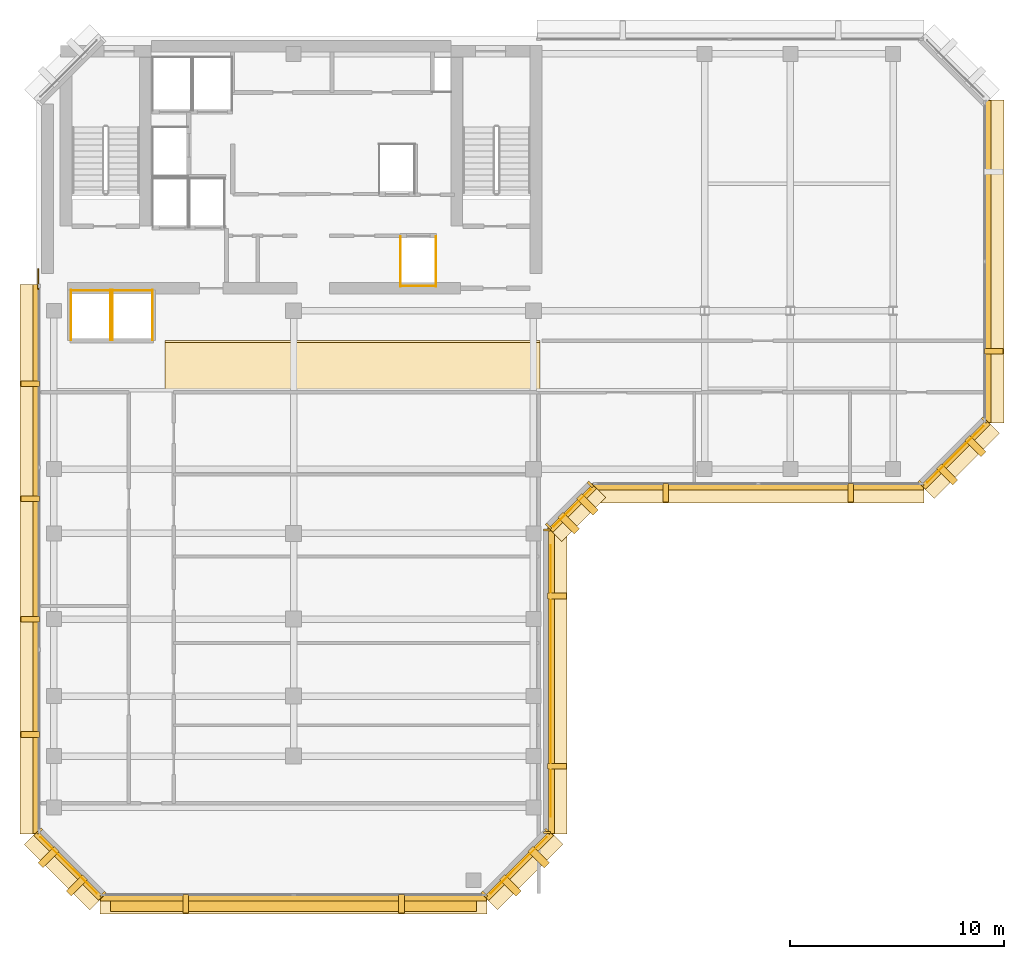
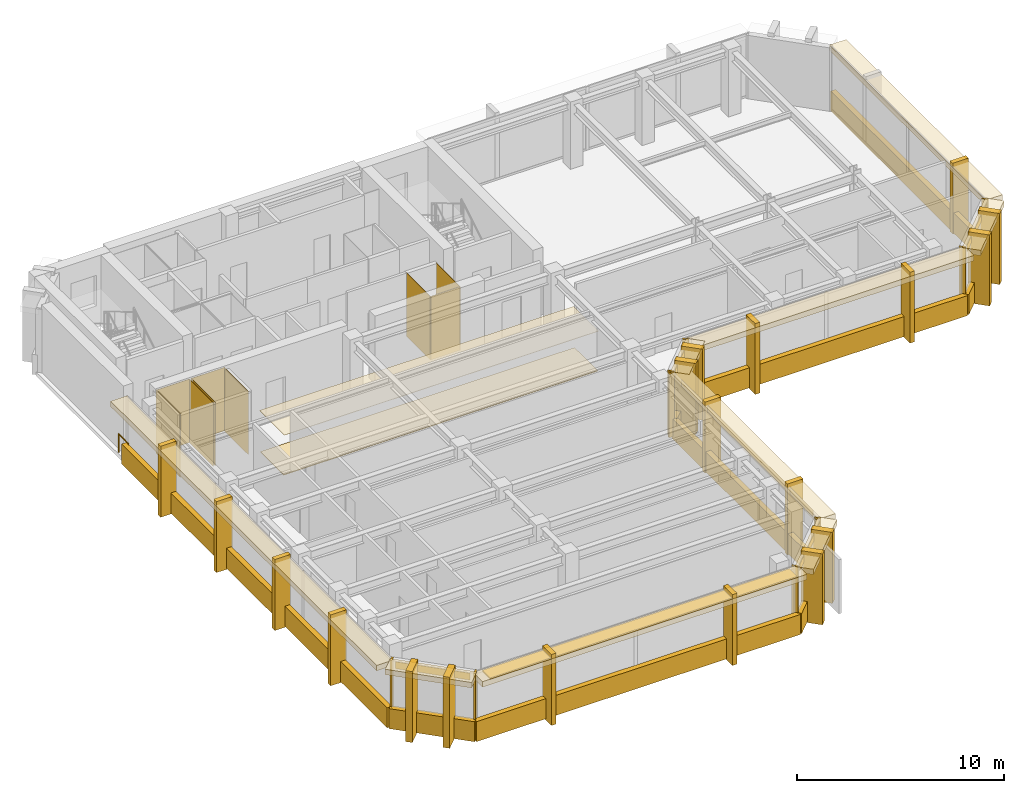
# One storey, part 9 of 11: 63 coverings, 1 railing, 1 shading device.
"""IFC4 building model written with IfcOpenShell, lengths in metres."""

from ifc_helpers import new_model, si_unit, direction, frame, origin, origin_2d, place, context, subcontext, project, spatial, polyline, rectangle, circle, outline, extrude, material, layer, layer_set, type_object, element, save


model = new_model("IFC4")

# Units and contexts
model_context = context("Model", 3, precision=1e-05, world=origin(), true_north=direction((0.0, 1.0)))
body_context = subcontext(model_context, "Body", "Model", "MODEL_VIEW")
ifc_project = project(units=[si_unit("LENGTHUNIT", "METRE"), si_unit("AREAUNIT", "SQUARE_METRE"), si_unit("VOLUMEUNIT", "CUBIC_METRE"), si_unit("PLANEANGLEUNIT", "RADIAN"), si_unit("MASSUNIT", "GRAM", prefix="KILO")], contexts=[model_context])

# Site, building, storey
site_placement = place(None, origin())
site = spatial("IfcSite", under=ifc_project, at=site_placement, CompositionType="ELEMENT")
building_placement = place(site_placement, origin())
building = spatial("IfcBuilding", under=site, at=building_placement, Name="Kefirva Bronze Tower", CompositionType="ELEMENT")
storey_placement = place(building_placement, frame((0.0, 0.0, 331.64990234375)))
storey = spatial("IfcBuildingStorey", under=building, at=storey_placement, Name="L81", CompositionType="ELEMENT", Elevation=331.64990234375)

# Coverings
ifc_material_1 = material(Name="Acoustic mineral tile")
ifc_layer_1 = layer(ifc_material_1, 0.02490234375, Name="Acoustic mineral tile")
ifc_layer_set_1 = layer_set([ifc_layer_1], Name="Acoustic mineral tile")
covering_type_1 = type_object("IfcCoveringType", Name="Acoustic Mineral Suspended Ceiling 25mm", PredefinedType="CEILING", material=ifc_layer_set_1)
covering_1_placement = place(storey_placement, frame((0.0, 0.0, 2.400146484375)))
element("IfcCovering", 1, at=covering_1_placement, inside=storey, type_object=covering_type_1, Name="L81 Corridor Acoustic Ceiling", PredefinedType="CEILING", context=body_context, shape_type="SweptSolid", body=[
    extrude(outline(polyline([(6.0, 29.39990234375), (23.5, 29.39990234375), (23.5, 31.800048828125), (6.0, 31.800048828125), (6.0, 29.39990234375)])), origin(), (0.0, 0.0, 1.0), 0.02490234375),
])
ifc_material_2 = material(Name="Bronze anodised aluminium", Category="aluminium")
ifc_layer_2 = layer(ifc_material_2, 0.02001953125, Name="Bronze anodised aluminium")
ifc_layer_set_2 = layer_set([ifc_layer_2], Name="Bronze anodised aluminium")
covering_type_2 = type_object("IfcCoveringType", Name="Anodised Bronze Spandrel Cladding 20mm", PredefinedType="CLADDING", material=ifc_layer_set_2)
covering_2_placement = place(storey_placement, frame((12.0, 5.760009765625, -0.15966796875), z_axis=(0.0, 0.0, 1.0), x_axis=(1.0, 0.0, 0.0)))
element("IfcCovering", 2, at=covering_2_placement, inside=storey, type_object=covering_type_2, Name="L81 Streamline Horizontal Spandrel Band 0", PredefinedType="CLADDING", context=body_context, shape_type="SweptSolid", body=[
    extrude(rectangle(XDim=18.0400390625, YDim=0.280029296875, at=origin_2d()), origin(), (0.0, 0.0, 1.0), 1.179931640625),
])
covering_3_placement = place(storey_placement, frame((22.507080078125, 7.29296875, 3.320068359375), z_axis=(0.0, 0.0, 1.0), x_axis=(0.707106781187, 0.707106781187, 0.0)))
element("IfcCovering", 3, at=covering_3_placement, inside=storey, type_object=covering_type_2, Name="L81 Bronze Spandrel Cladding 1", PredefinedType="CLADDING", context=body_context, shape_type="SweptSolid", body=[
    extrude(rectangle(XDim=3.719482421875, YDim=0.02001953125, at=origin_2d()), origin(), (0.0, 0.0, 1.0), 0.39990234375),
])
for number, where, z_axis, x_axis, name in (
    (4, (20.91162109375, 5.93798828125, 0.0), (0.0, 0.0, 1.0), (0.707106781187, 0.707106781187, 0.0), "L81 Facade Joint Closure Panel 1S"),
    (5, (23.862060546875, 8.88818359375, 0.0), (0.0, 0.0, 1.0), (0.707106781187, 0.707106781187, 0.0), "L81 Facade Joint Closure Panel 1E"),
):
    element("IfcCovering", number, at=place(storey_placement, frame(where, z_axis=z_axis, x_axis=x_axis)), inside=storey, type_object=covering_type_2, Name=name, PredefinedType="CLADDING", context=body_context, shape_type="SweptSolid", body=[
        extrude(rectangle(XDim=0.10009765625, YDim=0.320068359375, at=origin_2d()), origin(), (0.0, 0.0, 1.0), 3.739990234375),
    ])
covering_4_placement = place(storey_placement, frame((22.5283203125, 7.271728515625, -0.15966796875), z_axis=(0.0, 0.0, 1.0), x_axis=(0.707106781187, 0.707106781187, 0.0)))
element("IfcCovering", 6, at=covering_4_placement, inside=storey, type_object=covering_type_2, Name="L81 Streamline Horizontal Spandrel Band 1", PredefinedType="CLADDING", context=body_context, shape_type="SweptSolid", body=[
    extrude(rectangle(XDim=4.28271484375, YDim=0.280029296875, at=origin_2d()), origin(), (0.0, 0.0, 1.0), 1.179931640625),
])
covering_5_placement = place(storey_placement, frame((24.010009765625, 15.89990234375, 3.320068359375), z_axis=(0.0, 0.0, 1.0), x_axis=(0.0, 1.0, 0.0)))
element("IfcCovering", 7, at=covering_5_placement, inside=storey, type_object=covering_type_2, Name="L81 Bronze Spandrel Cladding 2", PredefinedType="CLADDING", context=body_context, shape_type="SweptSolid", body=[
    extrude(rectangle(XDim=12.680908203125, YDim=0.02001953125, at=origin_2d()), origin(), (0.0, 0.0, 1.0), 0.39990234375),
])
for number, where, z_axis, x_axis, name in (
    (8, (23.840087890625, 8.8349609375, 0.0), (0.0, 0.0, 1.0), (0.0, 1.0, 0.0), "L81 Facade Joint Closure Panel 2S"),
    (9, (23.840087890625, 22.965087890625, 0.0), (0.0, 0.0, 1.0), (0.0, 1.0, 0.0), "L81 Facade Joint Closure Panel 2E"),
):
    element("IfcCovering", number, at=place(storey_placement, frame(where, z_axis=z_axis, x_axis=x_axis)), inside=storey, type_object=covering_type_2, Name=name, PredefinedType="CLADDING", context=body_context, shape_type="SweptSolid", body=[
        extrude(rectangle(XDim=0.10009765625, YDim=0.320068359375, at=origin_2d()), origin(), (0.0, 0.0, 1.0), 3.739990234375),
    ])
covering_6_placement = place(storey_placement, frame((24.0400390625, 15.89990234375, -0.15966796875), z_axis=(0.0, 0.0, 1.0), x_axis=(0.0, 1.0, 0.0)))
element("IfcCovering", 10, at=covering_6_placement, inside=storey, type_object=covering_type_2, Name="L81 Streamline Horizontal Spandrel Band 2", PredefinedType="CLADDING", context=body_context, shape_type="SweptSolid", body=[
    extrude(rectangle(XDim=14.239990234375, YDim=0.280029296875, at=origin_2d()), origin(), (0.0, 0.0, 1.0), 1.179931640625),
])
covering_7_placement = place(storey_placement, frame((25.007080078125, 23.992919921875, 3.320068359375), z_axis=(0.0, 0.0, 1.0), x_axis=(0.707106781187, 0.707106781187, 0.0)))
element("IfcCovering", 11, at=covering_7_placement, inside=storey, type_object=covering_type_2, Name="L81 Bronze Spandrel Cladding 3", PredefinedType="CLADDING", context=body_context, shape_type="SweptSolid", body=[
    extrude(rectangle(XDim=2.446533203125, YDim=0.02001953125, at=origin_2d()), origin(), (0.0, 0.0, 1.0), 0.39990234375),
])
for number, where, z_axis, x_axis, name in (
    (12, (23.91162109375, 23.137939453125, 0.0), (0.0, 0.0, 1.0), (0.707106781187, 0.707106781187, 0.0), "L81 Facade Joint Closure Panel 3S"),
    (13, (25.862060546875, 25.08837890625, 0.0), (0.0, 0.0, 1.0), (0.707106781187, 0.707106781187, 0.0), "L81 Facade Joint Closure Panel 3E"),
):
    element("IfcCovering", number, at=place(storey_placement, frame(where, z_axis=z_axis, x_axis=x_axis)), inside=storey, type_object=covering_type_2, Name=name, PredefinedType="CLADDING", context=body_context, shape_type="SweptSolid", body=[
        extrude(rectangle(XDim=0.10009765625, YDim=0.320068359375, at=origin_2d()), origin(), (0.0, 0.0, 1.0), 3.739990234375),
    ])
covering_8_placement = place(storey_placement, frame((25.0283203125, 23.9716796875, -0.15966796875), z_axis=(0.0, 0.0, 1.0), x_axis=(0.707106781187, 0.707106781187, 0.0)))
element("IfcCovering", 14, at=covering_8_placement, inside=storey, type_object=covering_type_2, Name="L81 Streamline Horizontal Spandrel Band 3", PredefinedType="CLADDING", context=body_context, shape_type="SweptSolid", body=[
    extrude(rectangle(XDim=2.868408203125, YDim=0.280029296875, at=origin_2d()), origin(), (0.0, 0.0, 1.0), 1.179931640625),
])
covering_9_placement = place(storey_placement, frame((33.699951171875, 24.9599609375, -0.15966796875), z_axis=(0.0, 0.0, 1.0), x_axis=(1.0, 0.0, 0.0)))
element("IfcCovering", 15, at=covering_9_placement, inside=storey, type_object=covering_type_2, Name="L81 Streamline Horizontal Spandrel Band 4", PredefinedType="CLADDING", context=body_context, shape_type="SweptSolid", body=[
    extrude(rectangle(XDim=15.43994140625, YDim=0.280029296875, at=origin_2d()), origin(), (0.0, 0.0, 1.0), 1.179931640625),
])
covering_10_placement = place(storey_placement, frame((42.906982421875, 26.492919921875, 3.320068359375), z_axis=(0.0, 0.0, 1.0), x_axis=(0.707106781187, 0.707106781187, 0.0)))
element("IfcCovering", 16, at=covering_10_placement, inside=storey, type_object=covering_type_2, Name="L81 Bronze Spandrel Cladding 4", PredefinedType="CLADDING", context=body_context, shape_type="SweptSolid", body=[
    extrude(rectangle(XDim=3.719482421875, YDim=0.02001953125, at=origin_2d()), origin(), (0.0, 0.0, 1.0), 0.39990234375),
])
for number, where, z_axis, x_axis, name in (
    (17, (41.311767578125, 25.137939453125, 0.0), (0.0, 0.0, 1.0), (0.707106781187, 0.707106781187, 0.0), "L81 Facade Joint Closure Panel 4S"),
    (18, (44.26220703125, 28.08837890625, 0.0), (0.0, 0.0, 1.0), (0.707106781187, 0.707106781187, 0.0), "L81 Facade Joint Closure Panel 4E"),
):
    element("IfcCovering", number, at=place(storey_placement, frame(where, z_axis=z_axis, x_axis=x_axis)), inside=storey, type_object=covering_type_2, Name=name, PredefinedType="CLADDING", context=body_context, shape_type="SweptSolid", body=[
        extrude(rectangle(XDim=0.10009765625, YDim=0.320068359375, at=origin_2d()), origin(), (0.0, 0.0, 1.0), 3.739990234375),
    ])
covering_11_placement = place(storey_placement, frame((42.92822265625, 26.4716796875, -0.15966796875), z_axis=(0.0, 0.0, 1.0), x_axis=(0.707106781187, 0.707106781187, 0.0)))
element("IfcCovering", 19, at=covering_11_placement, inside=storey, type_object=covering_type_2, Name="L81 Streamline Horizontal Spandrel Band 5", PredefinedType="CLADDING", context=body_context, shape_type="SweptSolid", body=[
    extrude(rectangle(XDim=4.28271484375, YDim=0.280029296875, at=origin_2d()), origin(), (0.0, 0.0, 1.0), 1.179931640625),
])
covering_12_placement = place(storey_placement, frame((44.43994140625, 35.5, -0.15966796875), z_axis=(0.0, 0.0, 1.0), x_axis=(0.0, 1.0, 0.0)))
element("IfcCovering", 20, at=covering_12_placement, inside=storey, type_object=covering_type_2, Name="L81 Streamline Horizontal Spandrel Band 6", PredefinedType="CLADDING", context=body_context, shape_type="SweptSolid", body=[
    extrude(rectangle(XDim=15.0400390625, YDim=0.280029296875, at=origin_2d()), origin(), (0.0, 0.0, 1.0), 1.179931640625),
])
covering_13_placement = place(storey_placement, frame((-0.0400390625, 21.597412109375, -0.15966796875), z_axis=(0.0, 0.0, 1.0), x_axis=(0.0, -1.0, 0.0)))
element("IfcCovering", 21, at=covering_13_placement, inside=storey, type_object=covering_type_2, Name="L81 Streamline Horizontal Spandrel Band 10", PredefinedType="CLADDING", context=body_context, shape_type="SweptSolid", body=[
    extrude(rectangle(XDim=25.635009765625, YDim=0.280029296875, at=origin_2d()), origin(), (0.0, 0.0, 1.0), 1.179931640625),
])
covering_14_placement = place(storey_placement, frame((1.492919921875, 7.29296875, 3.320068359375), z_axis=(0.0, 0.0, 1.0), x_axis=(0.707106781187, -0.707106781187, 0.0)))
element("IfcCovering", 22, at=covering_14_placement, inside=storey, type_object=covering_type_2, Name="L81 Bronze Spandrel Cladding 7", PredefinedType="CLADDING", context=body_context, shape_type="SweptSolid", body=[
    extrude(rectangle(XDim=3.719482421875, YDim=0.02001953125, at=origin_2d()), origin(), (0.0, 0.0, 1.0), 0.39990234375),
])
for number, where, z_axis, x_axis, name in (
    (23, (0.137939453125, 8.88818359375, 0.0), (0.0, 0.0, 1.0), (0.707106781187, -0.707106781187, 0.0), "L81 Facade Joint Closure Panel 7S"),
    (24, (3.08837890625, 5.93798828125, 0.0), (0.0, 0.0, 1.0), (0.707106781187, -0.707106781187, 0.0), "L81 Facade Joint Closure Panel 7E"),
):
    element("IfcCovering", number, at=place(storey_placement, frame(where, z_axis=z_axis, x_axis=x_axis)), inside=storey, type_object=covering_type_2, Name=name, PredefinedType="CLADDING", context=body_context, shape_type="SweptSolid", body=[
        extrude(rectangle(XDim=0.10009765625, YDim=0.320068359375, at=origin_2d()), origin(), (0.0, 0.0, 1.0), 3.739990234375),
    ])
covering_15_placement = place(storey_placement, frame((1.4716796875, 7.271728515625, -0.15966796875), z_axis=(0.0, 0.0, 1.0), x_axis=(0.707106781187, -0.707106781187, 0.0)))
element("IfcCovering", 25, at=covering_15_placement, inside=storey, type_object=covering_type_2, Name="L81 Streamline Horizontal Spandrel Band 11", PredefinedType="CLADDING", context=body_context, shape_type="SweptSolid", body=[
    extrude(rectangle(XDim=4.28271484375, YDim=0.280029296875, at=origin_2d()), origin(), (0.0, 0.0, 1.0), 1.179931640625),
])
covering_16_placement = place(storey_placement, origin())
element("IfcCovering", 26, at=covering_16_placement, inside=storey, type_object=covering_type_2, Name="L81 Lift OB1 Hoistway Liner N", PredefinedType="CLADDING", context=body_context, shape_type="SweptSolid", body=[
    extrude(outline(polyline([(1.580078125, 34.139892578125), (3.469970703125, 34.139892578125), (3.469970703125, 34.159912109375), (1.580078125, 34.159912109375), (1.580078125, 34.139892578125)])), origin(), (0.0, 0.0, 1.0), 3.739990234375),
])
covering_17_placement = place(storey_placement, origin())
element("IfcCovering", 27, at=covering_17_placement, inside=storey, type_object=covering_type_2, Name="L81 Lift OB1 Hoistway Liner W", PredefinedType="CLADDING", context=body_context, shape_type="SweptSolid", body=[
    extrude(outline(polyline([(1.590087890625, 31.830078125), (1.610107421875, 31.830078125), (1.610107421875, 34.169921875), (1.590087890625, 34.169921875), (1.590087890625, 31.830078125)])), origin(), (0.0, 0.0, 1.0), 3.739990234375),
])
covering_18_placement = place(storey_placement, origin())
element("IfcCovering", 28, at=covering_18_placement, inside=storey, type_object=covering_type_2, Name="L81 Lift OB1 Hoistway Liner E", PredefinedType="CLADDING", context=body_context, shape_type="SweptSolid", body=[
    extrude(outline(polyline([(3.43994140625, 31.830078125), (3.4599609375, 31.830078125), (3.4599609375, 34.169921875), (3.43994140625, 34.169921875), (3.43994140625, 31.830078125)])), origin(), (0.0, 0.0, 1.0), 3.739990234375),
])
covering_19_placement = place(storey_placement, origin())
element("IfcCovering", 29, at=covering_19_placement, inside=storey, type_object=covering_type_2, Name="L81 Lift OB2 Hoistway Liner N", PredefinedType="CLADDING", context=body_context, shape_type="SweptSolid", body=[
    extrude(outline(polyline([(3.530029296875, 34.139892578125), (5.419921875, 34.139892578125), (5.419921875, 34.159912109375), (3.530029296875, 34.159912109375), (3.530029296875, 34.139892578125)])), origin(), (0.0, 0.0, 1.0), 3.739990234375),
])
covering_20_placement = place(storey_placement, origin())
element("IfcCovering", 30, at=covering_20_placement, inside=storey, type_object=covering_type_2, Name="L81 Lift OB2 Hoistway Liner W", PredefinedType="CLADDING", context=body_context, shape_type="SweptSolid", body=[
    extrude(outline(polyline([(3.5400390625, 31.830078125), (3.56005859375, 31.830078125), (3.56005859375, 34.169921875), (3.5400390625, 34.169921875), (3.5400390625, 31.830078125)])), origin(), (0.0, 0.0, 1.0), 3.739990234375),
])
covering_21_placement = place(storey_placement, origin())
element("IfcCovering", 31, at=covering_21_placement, inside=storey, type_object=covering_type_2, Name="L81 Lift OB2 Hoistway Liner E", PredefinedType="CLADDING", context=body_context, shape_type="SweptSolid", body=[
    extrude(outline(polyline([(5.389892578125, 31.830078125), (5.409912109375, 31.830078125), (5.409912109375, 34.169921875), (5.389892578125, 34.169921875), (5.389892578125, 31.830078125)])), origin(), (0.0, 0.0, 1.0), 3.739990234375),
])
covering_22_placement = place(storey_placement, origin())
element("IfcCovering", 32, at=covering_22_placement, inside=storey, type_object=covering_type_2, Name="L81 Lift HP1 Hoistway Liner S", PredefinedType="CLADDING", context=body_context, shape_type="SweptSolid", body=[
    extrude(outline(polyline([(16.97998046875, 34.340087890625), (18.669921875, 34.340087890625), (18.669921875, 34.360107421875), (16.97998046875, 34.360107421875), (16.97998046875, 34.340087890625)])), origin(), (0.0, 0.0, 1.0), 3.739990234375),
])
covering_23_placement = place(storey_placement, origin())
element("IfcCovering", 33, at=covering_23_placement, inside=storey, type_object=covering_type_2, Name="L81 Lift HP1 Hoistway Liner W", PredefinedType="CLADDING", context=body_context, shape_type="SweptSolid", body=[
    extrude(outline(polyline([(16.989990234375, 34.330078125), (17.010009765625, 34.330078125), (17.010009765625, 36.669921875), (16.989990234375, 36.669921875), (16.989990234375, 34.330078125)])), origin(), (0.0, 0.0, 1.0), 3.739990234375),
])
covering_24_placement = place(storey_placement, origin())
element("IfcCovering", 34, at=covering_24_placement, inside=storey, type_object=covering_type_2, Name="L81 Lift HP1 Hoistway Liner E", PredefinedType="CLADDING", context=body_context, shape_type="SweptSolid", body=[
    extrude(outline(polyline([(18.639892578125, 34.330078125), (18.659912109375, 34.330078125), (18.659912109375, 36.669921875), (18.639892578125, 36.669921875), (18.639892578125, 34.330078125)])), origin(), (0.0, 0.0, 1.0), 3.739990234375),
])

# Shading device
ifc_layer_3 = layer(ifc_material_2, 0.090087890625, Name="Bronze anodised aluminium")
ifc_layer_set_3 = layer_set([ifc_layer_3], Name="Bronze anodised aluminium")
shading_device_type = type_object("IfcShadingDeviceType", Name="Horizontal Bronze Sunshade Band 750mm", PredefinedType="JALOUSIE", material=ifc_layer_set_3)
shading_device_placement = place(storey_placement, frame((12.0, 5.5048828125, 3.63525390625), z_axis=(0.0, 0.0, 1.0), x_axis=(1.0, 0.0, 0.0)))
element("IfcShadingDevice", 35, at=shading_device_placement, inside=storey, type_object=shading_device_type, Name="L81 Horizontal Bronze Sunshade Band 0", PredefinedType="JALOUSIE", context=body_context, shape_type="SweptSolid", body=[
    extrude(rectangle(XDim=17.090087890625, YDim=0.75, at=origin_2d()), origin(), (0.0, 0.0, 1.0), 0.090087890625),
])

# Railing
ifc_material_3 = material(Name="Stainless steel 316", Category="steel")
railing_type = type_object("IfcRailingType", Name="Interior Stair Guardrail 1100mm", PredefinedType="GUARDRAIL", material=ifc_material_3)
railing_placement = place(storey_placement, frame((0.080078125, 34.199951171875, 0.0)))
element("IfcRailing", 36, at=railing_placement, inside=storey, type_object=railing_type, Name="L81 West Core Junction Guardrail", PredefinedType="GUARDRAIL", context=body_context, shape_type="SweptSolid", body=[
    extrude(circle(Radius=0.02392578125, at=origin_2d()), frame((0.0, 0.0, 1.076171875), z_axis=(0.0, 1.0, 0.0), x_axis=(-1.0, 0.0, 0.0)), (0.0, 0.0, 1.0), 0.949951171875),
    extrude(circle(Radius=0.02099609375, at=origin_2d()), origin(), (0.0, 0.0, 1.0), 1.052001953125),
    extrude(circle(Radius=0.02099609375, at=origin_2d()), frame((0.0, 0.949951171875, 0.0)), (0.0, 0.0, 1.0), 1.052001953125),
])

# Coverings
ifc_material_4 = material(Name="Calcium sulphate access tile")
ifc_layer_4 = layer(ifc_material_4, 0.044921875, Name="Calcium sulphate access tile")
ifc_layer_set_4 = layer_set([ifc_layer_4], Name="Calcium sulphate access tile")
covering_type_3 = type_object("IfcCoveringType", Name="Raised Access Office Flooring 45mm", PredefinedType="FLOORING", material=ifc_layer_set_4)
covering_25_placement = place(storey_placement, origin())
element("IfcCovering", 37, at=covering_25_placement, inside=storey, type_object=covering_type_3, Name="L81 Architectural Finish Flooring", PredefinedType="FLOORING", context=body_context, shape_type="SweptSolid", body=[
    extrude(outline(polyline([(6.0, 29.47998046875), (23.5, 29.47998046875), (23.5, 31.719970703125), (6.0, 31.719970703125), (6.0, 29.47998046875)])), origin(), (0.0, 0.0, 1.0), 0.045166015625),
])
ifc_layer_5 = layer(ifc_material_2, 0.179931640625, Name="Bronze anodised aluminium")
ifc_layer_set_5 = layer_set([ifc_layer_5], Name="Bronze anodised aluminium")
covering_type_4 = type_object("IfcCoveringType", Name="Streamline Bronze Sunshade Eyebrow Cladding 180mm", PredefinedType="CLADDING", material=ifc_layer_set_5)
covering_26_placement = place(storey_placement, frame((12.0, 5.489990234375, 3.419921875), z_axis=(0.0, 0.0, 1.0), x_axis=(1.0, 0.0, 0.0)))
element("IfcCovering", 38, at=covering_26_placement, inside=storey, type_object=covering_type_4, Name="L81 Streamline Bronze Sunshade Eyebrow 0", PredefinedType="CLADDING", context=body_context, shape_type="SweptSolid", body=[
    extrude(rectangle(XDim=18.080078125, YDim=0.93994140625, at=origin_2d()), origin(), (0.0, 0.0, 1.0), 0.320068359375),
])
covering_27_placement = place(storey_placement, frame((22.71923828125, 7.080810546875, 3.419921875), z_axis=(0.0, 0.0, 1.0), x_axis=(0.707106781187, 0.707106781187, 0.0)))
element("IfcCovering", 39, at=covering_27_placement, inside=storey, type_object=covering_type_4, Name="L81 Streamline Bronze Sunshade Eyebrow 1", PredefinedType="CLADDING", context=body_context, shape_type="SweptSolid", body=[
    extrude(rectangle(XDim=4.322509765625, YDim=0.93994140625, at=origin_2d()), origin(), (0.0, 0.0, 1.0), 0.320068359375),
])
covering_28_placement = place(storey_placement, frame((24.31005859375, 15.89990234375, 3.419921875), z_axis=(0.0, 0.0, 1.0), x_axis=(0.0, 1.0, 0.0)))
element("IfcCovering", 40, at=covering_28_placement, inside=storey, type_object=covering_type_4, Name="L81 Streamline Bronze Sunshade Eyebrow 2", PredefinedType="CLADDING", context=body_context, shape_type="SweptSolid", body=[
    extrude(rectangle(XDim=14.280029296875, YDim=0.93994140625, at=origin_2d()), origin(), (0.0, 0.0, 1.0), 0.320068359375),
])
covering_29_placement = place(storey_placement, frame((25.21923828125, 23.78076171875, 3.419921875), z_axis=(0.0, 0.0, 1.0), x_axis=(0.707106781187, 0.707106781187, 0.0)))
element("IfcCovering", 41, at=covering_29_placement, inside=storey, type_object=covering_type_4, Name="L81 Streamline Bronze Sunshade Eyebrow 3", PredefinedType="CLADDING", context=body_context, shape_type="SweptSolid", body=[
    extrude(rectangle(XDim=2.908447265625, YDim=0.93994140625, at=origin_2d()), origin(), (0.0, 0.0, 1.0), 0.320068359375),
])
covering_30_placement = place(storey_placement, frame((33.699951171875, 24.68994140625, 3.419921875), z_axis=(0.0, 0.0, 1.0), x_axis=(1.0, 0.0, 0.0)))
element("IfcCovering", 42, at=covering_30_placement, inside=storey, type_object=covering_type_4, Name="L81 Streamline Bronze Sunshade Eyebrow 4", PredefinedType="CLADDING", context=body_context, shape_type="SweptSolid", body=[
    extrude(rectangle(XDim=15.47998046875, YDim=0.93994140625, at=origin_2d()), origin(), (0.0, 0.0, 1.0), 0.320068359375),
])
covering_31_placement = place(storey_placement, frame((43.119140625, 26.28076171875, 3.419921875), z_axis=(0.0, 0.0, 1.0), x_axis=(0.707106781187, 0.707106781187, 0.0)))
element("IfcCovering", 43, at=covering_31_placement, inside=storey, type_object=covering_type_4, Name="L81 Streamline Bronze Sunshade Eyebrow 5", PredefinedType="CLADDING", context=body_context, shape_type="SweptSolid", body=[
    extrude(rectangle(XDim=4.322509765625, YDim=0.93994140625, at=origin_2d()), origin(), (0.0, 0.0, 1.0), 0.320068359375),
])
covering_32_placement = place(storey_placement, frame((44.7099609375, 35.5, 3.419921875), z_axis=(0.0, 0.0, 1.0), x_axis=(0.0, 1.0, 0.0)))
element("IfcCovering", 44, at=covering_32_placement, inside=storey, type_object=covering_type_4, Name="L81 Streamline Bronze Sunshade Eyebrow 6", PredefinedType="CLADDING", context=body_context, shape_type="SweptSolid", body=[
    extrude(rectangle(XDim=15.080078125, YDim=0.93994140625, at=origin_2d()), origin(), (0.0, 0.0, 1.0), 0.320068359375),
])
covering_33_placement = place(storey_placement, frame((-0.31005859375, 21.597412109375, 3.419921875), z_axis=(0.0, 0.0, 1.0), x_axis=(0.0, -1.0, 0.0)))
element("IfcCovering", 45, at=covering_33_placement, inside=storey, type_object=covering_type_4, Name="L81 Streamline Bronze Sunshade Eyebrow 10", PredefinedType="CLADDING", context=body_context, shape_type="SweptSolid", body=[
    extrude(rectangle(XDim=25.675048828125, YDim=0.93994140625, at=origin_2d()), origin(), (0.0, 0.0, 1.0), 0.320068359375),
])
covering_34_placement = place(storey_placement, frame((1.28076171875, 7.080810546875, 3.419921875), z_axis=(0.0, 0.0, 1.0), x_axis=(0.707106781187, -0.707106781187, 0.0)))
element("IfcCovering", 46, at=covering_34_placement, inside=storey, type_object=covering_type_4, Name="L81 Streamline Bronze Sunshade Eyebrow 11", PredefinedType="CLADDING", context=body_context, shape_type="SweptSolid", body=[
    extrude(rectangle(XDim=4.322509765625, YDim=0.93994140625, at=origin_2d()), origin(), (0.0, 0.0, 1.0), 0.320068359375),
])
ifc_layer_6 = layer(ifc_material_2, 0.260009765625, Name="Bronze anodised aluminium")
ifc_layer_set_6 = layer_set([ifc_layer_6], Name="Bronze anodised aluminium")
covering_type_5 = type_object("IfcCoveringType", Name="Unbroken Bronze Buttress Fin Cladding 260mm", PredefinedType="CLADDING", material=ifc_layer_set_6)
for number, where, z_axis, x_axis, name in (
    (47, (6.9599609375, 5.5, -0.2197265625), (0.0, 0.0, 1.0), (1.0, 0.0, 0.0), "L81 Unbroken Vertical Bronze Rib Fin 1"),
    (48, (17.0400390625, 5.5, -0.2197265625), (0.0, 0.0, 1.0), (1.0, 0.0, 0.0), "L81 Unbroken Vertical Bronze Rib Fin 2"),
):
    element("IfcCovering", number, at=place(storey_placement, frame(where, z_axis=z_axis, x_axis=x_axis)), inside=storey, type_object=covering_type_5, Name=name, PredefinedType="CLADDING", context=body_context, shape_type="SweptSolid", body=[
        extrude(rectangle(XDim=0.260009765625, YDim=0.8798828125, at=origin_2d()), origin(), (0.0, 0.0, 1.0), 4.179931640625),
    ])
for number, where, z_axis, x_axis, name in (
    (49, (22.122802734375, 6.357177734375, -0.2197265625), (0.0, 0.0, 1.0), (0.707106781187, 0.707106781187, 0.0), "L81 Chamfered Corner Buttress Fin Cladding 3"),
    (50, (23.44287109375, 7.67724609375, -0.2197265625), (0.0, 0.0, 1.0), (0.707106781187, 0.707106781187, 0.0), "L81 Chamfered Corner Buttress Fin Cladding 4"),
):
    element("IfcCovering", number, at=place(storey_placement, frame(where, z_axis=z_axis, x_axis=x_axis)), inside=storey, type_object=covering_type_5, Name=name, PredefinedType="CLADDING", context=body_context, shape_type="SweptSolid", body=[
        extrude(rectangle(XDim=0.340087890625, YDim=1.080078125, at=origin_2d()), origin(), (0.0, 0.0, 1.0), 4.179931640625),
    ])
for number, where, z_axis, x_axis, name in (
    (51, (24.300048828125, 11.924072265625, -0.2197265625), (0.0, 0.0, 1.0), (0.0, 1.0, 0.0), "L81 Unbroken Vertical Bronze Rib Fin 5"),
    (52, (24.300048828125, 19.8759765625, -0.2197265625), (0.0, 0.0, 1.0), (0.0, 1.0, 0.0), "L81 Unbroken Vertical Bronze Rib Fin 6"),
):
    element("IfcCovering", number, at=place(storey_placement, frame(where, z_axis=z_axis, x_axis=x_axis)), inside=storey, type_object=covering_type_5, Name=name, PredefinedType="CLADDING", context=body_context, shape_type="SweptSolid", body=[
        extrude(rectangle(XDim=0.260009765625, YDim=0.8798828125, at=origin_2d()), origin(), (0.0, 0.0, 1.0), 4.179931640625),
    ])
for number, where, z_axis, x_axis, name in (
    (53, (24.8427734375, 23.277099609375, -0.2197265625), (0.0, 0.0, 1.0), (0.707106781187, 0.707106781187, 0.0), "L81 Chamfered Corner Buttress Fin Cladding 7"),
    (54, (25.722900390625, 24.1572265625, -0.2197265625), (0.0, 0.0, 1.0), (0.707106781187, 0.707106781187, 0.0), "L81 Chamfered Corner Buttress Fin Cladding 8"),
):
    element("IfcCovering", number, at=place(storey_placement, frame(where, z_axis=z_axis, x_axis=x_axis)), inside=storey, type_object=covering_type_5, Name=name, PredefinedType="CLADDING", context=body_context, shape_type="SweptSolid", body=[
        extrude(rectangle(XDim=0.340087890625, YDim=1.080078125, at=origin_2d()), origin(), (0.0, 0.0, 1.0), 4.179931640625),
    ])
for number, where, z_axis, x_axis, name in (
    (55, (29.387939453125, 24.699951171875, -0.2197265625), (0.0, 0.0, 1.0), (1.0, 0.0, 0.0), "L81 Unbroken Vertical Bronze Rib Fin 9"),
    (56, (38.011962890625, 24.699951171875, -0.2197265625), (0.0, 0.0, 1.0), (1.0, 0.0, 0.0), "L81 Unbroken Vertical Bronze Rib Fin 10"),
):
    element("IfcCovering", number, at=place(storey_placement, frame(where, z_axis=z_axis, x_axis=x_axis)), inside=storey, type_object=covering_type_5, Name=name, PredefinedType="CLADDING", context=body_context, shape_type="SweptSolid", body=[
        extrude(rectangle(XDim=0.260009765625, YDim=0.8798828125, at=origin_2d()), origin(), (0.0, 0.0, 1.0), 4.179931640625),
    ])
for number, where, z_axis, x_axis, name in (
    (57, (42.522705078125, 25.55712890625, -0.2197265625), (0.0, 0.0, 1.0), (0.707106781187, 0.707106781187, 0.0), "L81 Chamfered Corner Buttress Fin Cladding 11"),
    (58, (43.8427734375, 26.877197265625, -0.2197265625), (0.0, 0.0, 1.0), (0.707106781187, 0.707106781187, 0.0), "L81 Chamfered Corner Buttress Fin Cladding 12"),
):
    element("IfcCovering", number, at=place(storey_placement, frame(where, z_axis=z_axis, x_axis=x_axis)), inside=storey, type_object=covering_type_5, Name=name, PredefinedType="CLADDING", context=body_context, shape_type="SweptSolid", body=[
        extrude(rectangle(XDim=0.340087890625, YDim=1.080078125, at=origin_2d()), origin(), (0.0, 0.0, 1.0), 4.179931640625),
    ])
for number, where, z_axis, x_axis, name in (
    (59, (44.699951171875, 31.300048828125, -0.2197265625), (0.0, 0.0, 1.0), (0.0, 1.0, 0.0), "L81 Unbroken Vertical Bronze Rib Fin 13"),
    (60, (-0.300048828125, 29.787841796875, -0.2197265625), (0.0, 0.0, 1.0), (0.0, -1.0, 0.0), "L81 Unbroken Vertical Bronze Rib Fin 21"),
    (61, (-0.300048828125, 24.4130859375, -0.2197265625), (0.0, 0.0, 1.0), (0.0, -1.0, 0.0), "L81 Unbroken Vertical Bronze Rib Fin 22"),
    (62, (-0.300048828125, 18.781982421875, -0.2197265625), (0.0, 0.0, 1.0), (0.0, -1.0, 0.0), "L81 Unbroken Vertical Bronze Rib Fin 23"),
    (63, (-0.300048828125, 13.406982421875, -0.2197265625), (0.0, 0.0, 1.0), (0.0, -1.0, 0.0), "L81 Unbroken Vertical Bronze Rib Fin 24"),
):
    element("IfcCovering", number, at=place(storey_placement, frame(where, z_axis=z_axis, x_axis=x_axis)), inside=storey, type_object=covering_type_5, Name=name, PredefinedType="CLADDING", context=body_context, shape_type="SweptSolid", body=[
        extrude(rectangle(XDim=0.260009765625, YDim=0.8798828125, at=origin_2d()), origin(), (0.0, 0.0, 1.0), 4.179931640625),
    ])
for number, where, z_axis, x_axis, name in (
    (64, (0.55712890625, 7.67724609375, -0.2197265625), (0.0, 0.0, 1.0), (0.707106781187, -0.707106781187, 0.0), "L81 Chamfered Corner Buttress Fin Cladding 25"),
    (65, (1.877197265625, 6.357177734375, -0.2197265625), (0.0, 0.0, 1.0), (0.707106781187, -0.707106781187, 0.0), "L81 Chamfered Corner Buttress Fin Cladding 26"),
):
    element("IfcCovering", number, at=place(storey_placement, frame(where, z_axis=z_axis, x_axis=x_axis)), inside=storey, type_object=covering_type_5, Name=name, PredefinedType="CLADDING", context=body_context, shape_type="SweptSolid", body=[
        extrude(rectangle(XDim=0.340087890625, YDim=1.080078125, at=origin_2d()), origin(), (0.0, 0.0, 1.0), 4.179931640625),
    ])

save(model, "model.ifc")
